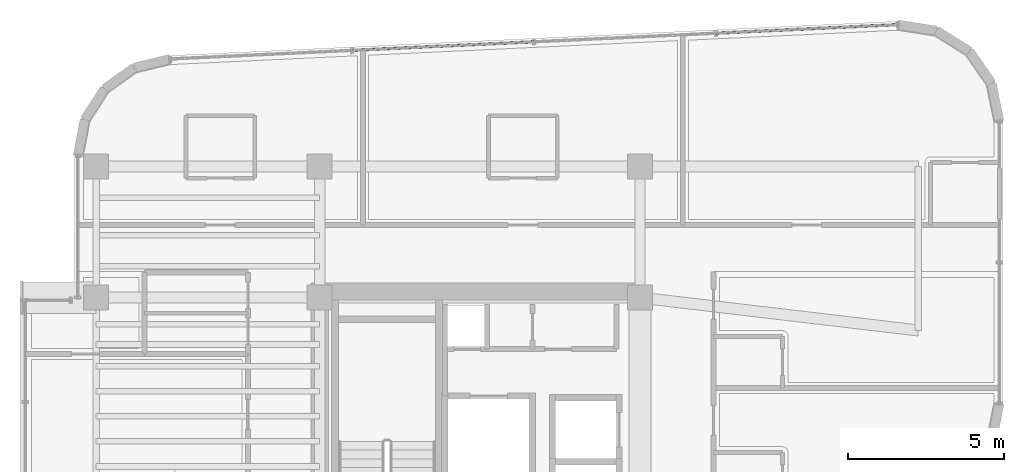
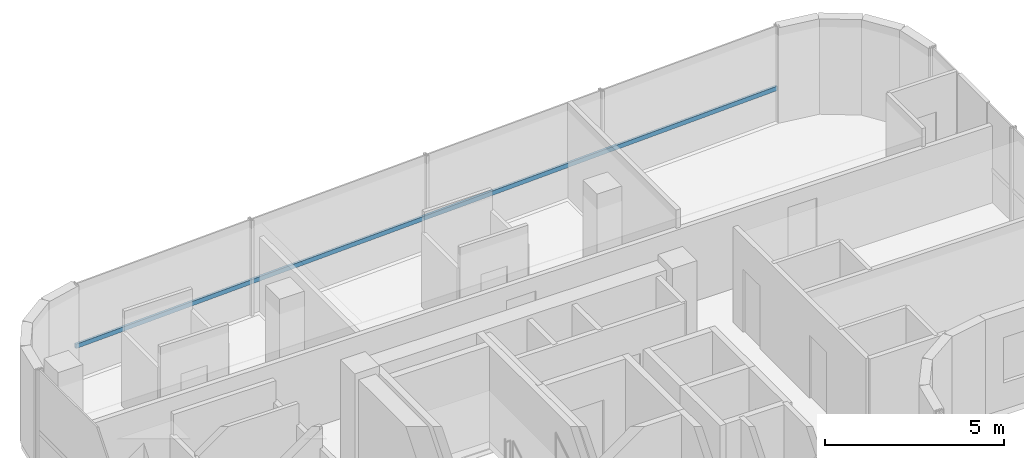
# One storey, part 11 of 20: 1 member, 1 element without a shape of its own.
"""IFC4 building model written with IfcOpenShell, lengths in metres."""

from ifc_helpers import new_model, si_unit, direction, frame, origin, origin_2d, place, context, subcontext, project, spatial, hollow_rectangle, extrude, source, transform, mapped, material, material_profile, profile_set, type_object, element, aggregate, save


model = new_model("IFC4")

# Units and contexts
model_context = context("Model", 3, precision=1e-05, world=origin(), true_north=direction((0.0, 1.0)))
body_context = subcontext(model_context, "Body", "Model", "MODEL_VIEW")
ifc_project = project(units=[si_unit("LENGTHUNIT", "METRE"), si_unit("AREAUNIT", "SQUARE_METRE"), si_unit("VOLUMEUNIT", "CUBIC_METRE"), si_unit("PLANEANGLEUNIT", "RADIAN"), si_unit("MASSUNIT", "GRAM", prefix="KILO")], contexts=[model_context])

# Site, building, storey
site_placement = place(None, origin())
site = spatial("IfcSite", under=ifc_project, at=site_placement, CompositionType="ELEMENT")
building_placement = place(site_placement, origin())
building = spatial("IfcBuilding", under=site, at=building_placement, Name="Valdorenza Pilgrim Sanctuary Tower", CompositionType="ELEMENT")
storey_placement = place(building_placement, frame((0.0, 0.0, 240.5)))
storey = spatial("IfcBuildingStorey", under=building, at=storey_placement, Name="L62", CompositionType="ELEMENT", Elevation=240.5)

# Curtain wall, member
ifc_material_1 = material(Name="Curtain-wall IGU glazing", Category="glass")
curtain_wall_type = type_object("IfcCurtainWallType", Name="CW-SYS-02", PredefinedType="NOTDEFINED", material=ifc_material_1)
curtain_wall_placement = place(storey_placement, origin())
curtain_wall = element("IfcCurtainWall", 1, at=curtain_wall_placement, inside=storey, type_object=curtain_wall_type, Name="L62 Curtain Wall CW-L62-1-6", PredefinedType="NOTDEFINED")
ifc_material_2 = material(Name="Anodised aluminium AW-6060", Category="aluminium")
ifc_material_profile = material_profile(ifc_material_2, hollow_rectangle(XDim=0.074951171875, YDim=0.14990234375, WallThickness=0.00390625, at=origin_2d()), Name="ALU-T 150x75x4")
ifc_profile_set = profile_set([ifc_material_profile], Name="Anodised aluminium AW-6060")
member_type = type_object("IfcMemberType", Name="CW-TRN-02", PredefinedType="USERDEFINED", material=ifc_profile_set)
shared_shape = source(origin(), body_context, "Body", "SweptSolid", [
    extrude(hollow_rectangle(XDim=0.074951171875, YDim=0.14990234375, WallThickness=0.00390625, at=origin_2d()), origin(), (0.0, 0.0, 1.0), 23.30419921875),
])
member_placement = place(storey_placement, frame((-27.43505859375, 18.234375, 1.1201171875), z_axis=(0.998890613053, 0.04709079693, 0.0), x_axis=(-0.04709079693, 0.998890613053, 0.0)))
member = element("IfcMember", 2, at=member_placement, type_object=member_type, Name="CW-L62-1-6 Transom 1", ObjectType="TRANSOM", PredefinedType="USERDEFINED", context=body_context, shape_type="MappedRepresentation", body=[
    mapped(shared_shape, transform((0.0, 0.0, 0.0), x_axis=(1.0, 0.0, 0.0), y_axis=(0.0, 1.0, 0.0), z_axis=(0.0, 0.0, 1.0), scale=1.0)),
])
aggregate(curtain_wall, [member])

save(model, "model.ifc")
